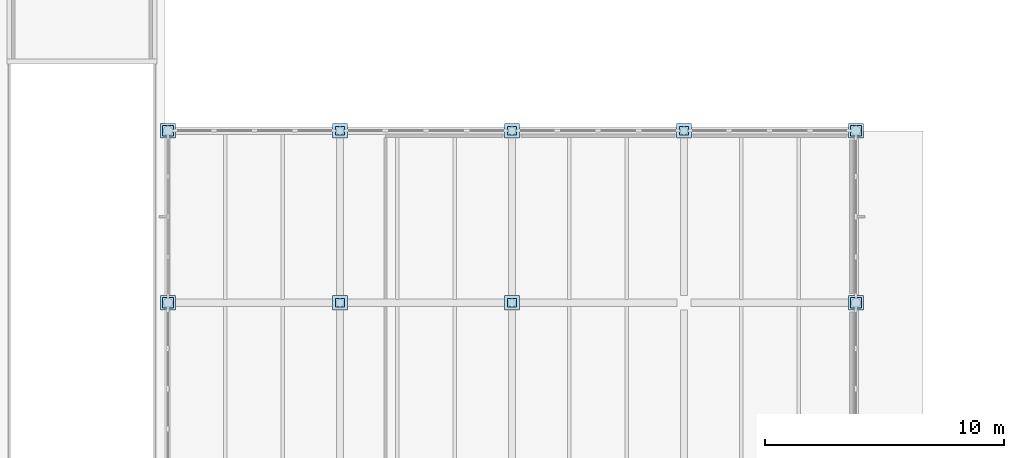
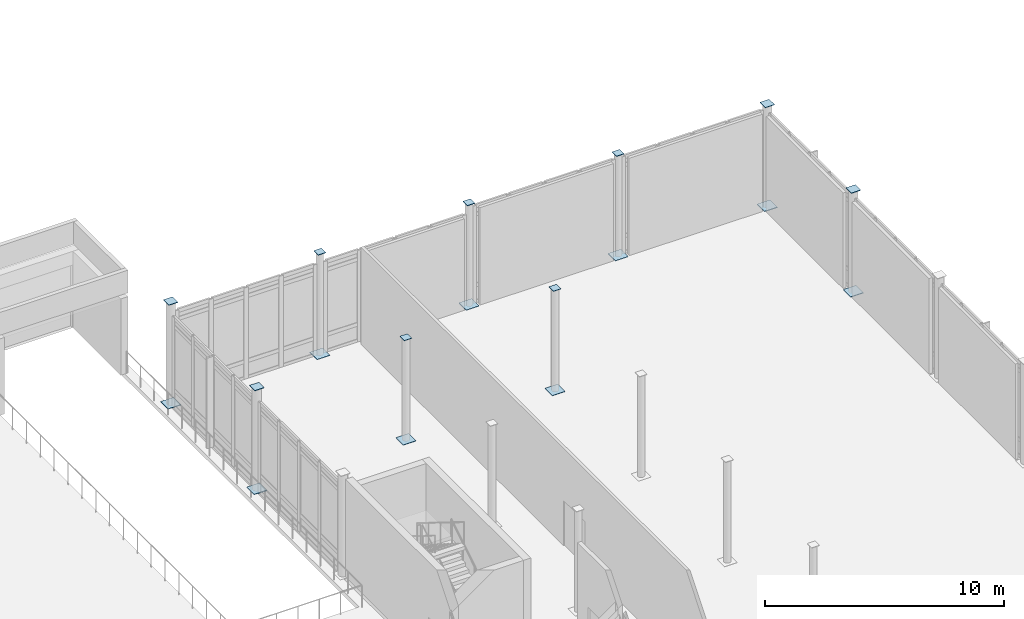
# One storey, part 57 of 89: 18 plates.
"""IFC4 building model written with IfcOpenShell, lengths in metres."""

import ifcopenshell
import ifcopenshell.guid

model = None  # the IFC model being written
_history = None  # IfcOwnerHistory: only IFC2X3 demands one
_inside = {}  # id of a spatial element -> (the spatial element, [elements in it])
_under = {}  # id of a project, library or spatial element -> (it, [spatial elements below it])
_declared = {}  # id of a project -> (the project, [libraries it declares])
_typed = {}  # id of a type object -> (the type object, [elements of that type])
_made_of = {}  # id of a material, layer set ... -> (it, [elements and type objects made of it])


def new_model(schema):
    """Start an empty IFC model of exactly this schema.

    Asked for "IFC4X3", IfcOpenShell would pick the latest addendum, in which some entities
    have other attributes; the version numbers below select the first issue.
    IFC2X3 requires an IfcOwnerHistory on every rooted entity: one is made here for all.
    """
    global model, _history
    if schema == "IFC4X3":
        model = ifcopenshell.file(schema_version=(4, 3, 0, 0))
    else:
        model = ifcopenshell.file(schema=schema)
    _inside.clear()
    _under.clear()
    _declared.clear()
    _typed.clear()
    _made_of.clear()
    _history = None
    if model.schema == "IFC2X3":
        org = make("IfcOrganization", Name="unknown")
        user = make(
            "IfcPersonAndOrganization",
            ThePerson=make("IfcPerson", FamilyName="unknown"),
            TheOrganization=org,
        )
        app = make(
            "IfcApplication",
            ApplicationDeveloper=org,
            Version="unknown",
            ApplicationFullName="unknown",
            ApplicationIdentifier="unknown",
        )
        _history = make(
            "IfcOwnerHistory",
            OwningUser=user,
            OwningApplication=app,
            ChangeAction="ADDED",
            CreationDate=0,
        )
    return model


def make(cls, **values):
    """One entity of the class cls with the attributes given. An attribute that is None is left unset."""
    return model.create_entity(
        cls, **{name: value for name, value in values.items() if value is not None}
    )


def rooted(cls, **values):
    """An entity with a GlobalId (a new one), such as an element, a storey or a relation."""
    return make(cls, GlobalId=ifcopenshell.guid.new(), OwnerHistory=_history, **values)


def si_unit(unit_type, name, prefix=None):
    """IfcSIUnit, for example si_unit("LENGTHUNIT", "METRE", prefix="MILLI")."""
    return make("IfcSIUnit", UnitType=unit_type, Prefix=prefix, Name=name)


def assignment(units):
    """IfcUnitAssignment: the units of a project."""
    return None if units is None else make("IfcUnitAssignment", Units=units)


def point(xyz):
    """IfcCartesianPoint."""
    return None if xyz is None else make("IfcCartesianPoint", Coordinates=xyz)


def direction(xyz):
    """IfcDirection."""
    return None if xyz is None else make("IfcDirection", DirectionRatios=xyz)


def frame(location, z_axis=None, x_axis=None):
    """IfcAxis2Placement3D, a coordinate frame: its origin and axes. An axis left out is left unset."""
    return make(
        "IfcAxis2Placement3D",
        Location=point(location),
        Axis=direction(z_axis),
        RefDirection=direction(x_axis),
    )


def frame_2d(location, x_axis=None):
    """IfcAxis2Placement2D, a coordinate frame in the plane: its origin and x axis."""
    return make(
        "IfcAxis2Placement2D", Location=point(location), RefDirection=direction(x_axis)
    )


def origin():
    """The frame at (0, 0, 0) with its axes left unset."""
    return frame((0.0, 0.0, 0.0))


def origin_2d():
    """The frame at (0, 0) in the plane with its x axis left unset."""
    return frame_2d((0.0, 0.0))


def place(relative_to, where):
    """IfcLocalPlacement: puts the frame where relative to a parent placement (None: the world)."""
    return make(
        "IfcLocalPlacement", PlacementRelTo=relative_to, RelativePlacement=where
    )


def context(
    kind, dimensions, precision=None, world=None, true_north=None, identifier=None
):
    """IfcGeometricRepresentationContext, for example the 3D "Model" context."""
    return make(
        "IfcGeometricRepresentationContext",
        ContextIdentifier=identifier,
        ContextType=kind,
        CoordinateSpaceDimension=dimensions,
        Precision=precision,
        WorldCoordinateSystem=world,
        TrueNorth=true_north,
    )


def subcontext(parent, identifier, kind, view, scale=None):
    """IfcGeometricRepresentationSubContext, for example "Body" below "Model"."""
    return make(
        "IfcGeometricRepresentationSubContext",
        ContextIdentifier=identifier,
        ContextType=kind,
        ParentContext=parent,
        TargetScale=scale,
        TargetView=view,
    )


def project(units=None, contexts=None):
    """IfcProject with its units and contexts."""
    return rooted(
        "IfcProject",
        Name="project",
        RepresentationContexts=contexts,
        UnitsInContext=assignment(units),
    )


def spatial(cls, under=None, at=None, **own):
    """A site, building, storey or space (cls), placed at a placement, below another one or the project."""
    s = rooted(cls, ObjectPlacement=at, **own)
    if under is not None:
        _under.setdefault(under.id(), (under, []))[1].append(s)
    return s


def profile(cls, at=None, kind="AREA", **sizes):
    """A parametric profile (cls). Its sizes go by their IFC names, for example OverallWidth=200.0."""
    return make(cls, ProfileType=kind, Position=at, **sizes)


def rectangle(**sizes):
    """IfcRectangleProfileDef."""
    return profile("IfcRectangleProfileDef", **sizes)


def extrude(swept, where, along, depth):
    """IfcExtrudedAreaSolid: the profile swept, set in the frame where, extruded along a direction by depth."""
    return make(
        "IfcExtrudedAreaSolid",
        SweptArea=swept,
        Position=where,
        ExtrudedDirection=direction(along),
        Depth=depth,
    )


def shape(context_of_items, identifier, shape_type, items):
    """IfcShapeRepresentation: the items that make up one representation, for example the "Body"."""
    return make(
        "IfcShapeRepresentation",
        ContextOfItems=context_of_items,
        RepresentationIdentifier=identifier,
        RepresentationType=shape_type,
        Items=items,
    )


def material(Name=None, Category=None):
    """IfcMaterial."""
    return make("IfcMaterial", Name=Name, Category=Category)


def layer(
    of_material, thickness, ventilated=None, Name=None, Category=None, Priority=None
):
    """IfcMaterialLayer: one layer of a wall or slab, of a material (None: an air gap)."""
    return make(
        "IfcMaterialLayer",
        Material=of_material,
        LayerThickness=thickness,
        IsVentilated=ventilated,
        Name=Name,
        Category=Category,
        Priority=Priority,
    )


def layer_set(layers, Name=None):
    """IfcMaterialLayerSet."""
    return make("IfcMaterialLayerSet", MaterialLayers=layers, LayerSetName=Name)


def made_of(thing, what):
    """Note that an element or type object is made of a material, layer set ...; save() writes the relation."""
    if what is not None:
        _made_of.setdefault(what.id(), (what, []))[1].append(thing)
    return thing


def type_object(cls, material=None, **own):
    """A type object (cls), such as IfcWallType, which elements share."""
    return made_of(rooted(cls, **own), material)


def element(
    cls,
    number,
    at=None,
    inside=None,
    cuts=None,
    type_object=None,
    material=None,
    context=None,
    identifier="Body",
    shape_type=None,
    held_by="IfcProductDefinitionShape",
    body=None,
    shapes=None,
    **own,
):
    """One element of the class cls, such as IfcWall. Its Tag is "e" and its number.

    at: its placement. inside: the storey or other place that contains it. cuts: it is an
    opening in that element (IfcRelVoidsElement). A single representation is given by context,
    identifier, shape_type and body (its items); several are given by shapes. held_by: the class
    of the entity that holds the representations. save() writes the other relations.
    """
    e = rooted(cls, Tag="e%d" % number, ObjectPlacement=at, **own)
    if body is not None:
        shapes = [shape(context, identifier, shape_type, body)]
    if shapes is not None:
        e.Representation = make(held_by, Representations=shapes)
    if inside is not None:
        _inside.setdefault(inside.id(), (inside, []))[1].append(e)
    if cuts is not None:
        rooted(
            "IfcRelVoidsElement", RelatingBuildingElement=cuts, RelatedOpeningElement=e
        )
    if type_object is not None:
        _typed.setdefault(type_object.id(), (type_object, []))[1].append(e)
    return made_of(e, material)


def aggregate(whole, parts):
    """IfcRelAggregates: a whole, such as a stair, and the parts it consists of."""
    return rooted("IfcRelAggregates", RelatingObject=whole, RelatedObjects=parts)


def save(model, path):
    """Write the relations noted so far, then the file.

    IfcRelAggregates (storeys below a building ...), IfcRelContainedInSpatialStructure (elements
    in a storey), IfcRelDefinesByType, IfcRelAssociatesMaterial and IfcRelDeclares: one each for
    every whole, place, type object, material and project.
    """
    for whole, parts in _under.values():
        aggregate(whole, parts)
    for where, things in _inside.values():
        rooted(
            "IfcRelContainedInSpatialStructure",
            RelatedElements=things,
            RelatingStructure=where,
        )
    for kind, things in _typed.values():
        rooted("IfcRelDefinesByType", RelatedObjects=things, RelatingType=kind)
    for what, things in _made_of.values():
        rooted("IfcRelAssociatesMaterial", RelatedObjects=things, RelatingMaterial=what)
    for by, libraries in _declared.values():
        rooted("IfcRelDeclares", RelatingContext=by, RelatedDefinitions=libraries)
    model.write(path)


model = new_model("IFC4")

# Units and contexts
model_context = context("Model", 3, precision=1e-05, world=origin(), true_north=direction((0.0, 1.0)))
body_context = subcontext(model_context, "Body", "Model", "MODEL_VIEW")
ifc_project = project(units=[si_unit("LENGTHUNIT", "METRE"), si_unit("AREAUNIT", "SQUARE_METRE"), si_unit("VOLUMEUNIT", "CUBIC_METRE"), si_unit("PLANEANGLEUNIT", "RADIAN"), si_unit("MASSUNIT", "GRAM", prefix="KILO")], contexts=[model_context])

# Site, building, storey
site_placement = place(None, origin())
site = spatial("IfcSite", under=ifc_project, at=site_placement, CompositionType="ELEMENT")
building_placement = place(site_placement, origin())
building = spatial("IfcBuilding", under=site, at=building_placement, Name="Zarrinpeak Specialist Clinic", CompositionType="ELEMENT")
storey_placement = place(building_placement, origin())
storey = spatial("IfcBuildingStorey", under=building, at=storey_placement, Name="L00", CompositionType="ELEMENT", Elevation=0.0)

# Plates
ifc_material = material(Name="Steel S355", Category="steel")
ifc_layer_1 = layer(ifc_material, 0.035888671875)
ifc_layer_set_1 = layer_set([ifc_layer_1], Name="Steel S355")
plate_type_1 = type_object("IfcPlateType", Name="PL-BP500", PredefinedType="SHEET", material=ifc_layer_set_1)
for number, where, z_axis, x_axis, name in (
    (1, (93.60009765625, 64.800048828125, -0.03173828125), (0.0, 0.0, 1.0), (1.0, 0.0, 0.0), "L00 Hollow Column Baseplate CCAP-B-014"),
    (2, (93.60009765625, 72.0, -0.03173828125), (0.0, 0.0, 1.0), (1.0, 0.0, 0.0), "L00 Hollow Column Baseplate CCAP-B-016"),
    (3, (100.800048828125, 64.800048828125, -0.03173828125), (0.0, 0.0, 1.0), (1.0, 0.0, 0.0), "L00 Hollow Column Baseplate CCAP-B-028"),
    (4, (100.800048828125, 72.0, -0.03173828125), (0.0, 0.0, 1.0), (1.0, 0.0, 0.0), "L00 Hollow Column Baseplate CCAP-B-030"),
    (5, (108.0, 64.800048828125, -0.03173828125), (0.0, 0.0, 1.0), (1.0, 0.0, 0.0), "L00 Hollow Column Baseplate CCAP-B-042"),
    (6, (108.0, 72.0, -0.03173828125), (0.0, 0.0, 1.0), (1.0, 0.0, 0.0), "L00 Hollow Column Baseplate CCAP-B-044"),
    (7, (115.199951171875, 72.0, -0.03173828125), (0.0, 0.0, 1.0), (1.0, 0.0, 0.0), "L00 Hollow Column Baseplate CCAP-B-048"),
    (8, (122.39990234375, 64.800048828125, -0.03173828125), (0.0, 0.0, 1.0), (1.0, 0.0, 0.0), "L00 Hollow Column Baseplate CCAP-B-060"),
    (9, (122.39990234375, 72.0, -0.03173828125), (0.0, 0.0, 1.0), (1.0, 0.0, 0.0), "L00 Hollow Column Baseplate CCAP-B-062"),
):
    element("IfcPlate", number, at=place(storey_placement, frame(where, z_axis=z_axis, x_axis=x_axis)), inside=storey, type_object=plate_type_1, Name=name, PredefinedType="SHEET", context=body_context, shape_type="SweptSolid", body=[
        extrude(rectangle(XDim=0.6201171875, YDim=0.6201171875, at=origin_2d()), origin(), (0.0, 0.0, 1.0), 0.035888671875),
    ])
ifc_layer_2 = layer(ifc_material, 0.02001953125)
ifc_layer_set_2 = layer_set([ifc_layer_2], Name="Steel S355")
plate_type_2 = type_object("IfcPlateType", Name="PL-CAP324", PredefinedType="SHEET", material=ifc_layer_set_2)
for number, where, z_axis, x_axis, name in (
    (10, (100.800048828125, 64.800048828125, 5.196044921875), (0.0, 0.0, 1.0), (1.0, 0.0, 0.0), "L00 Hollow Column Top Cap Plate CCAP-T-027"),
    (11, (100.800048828125, 72.0, 5.196044921875), (0.0, 0.0, 1.0), (1.0, 0.0, 0.0), "L00 Hollow Column Top Cap Plate CCAP-T-029"),
    (12, (108.0, 64.800048828125, 5.196044921875), (0.0, 0.0, 1.0), (1.0, 0.0, 0.0), "L00 Hollow Column Top Cap Plate CCAP-T-041"),
    (13, (108.0, 72.0, 5.196044921875), (0.0, 0.0, 1.0), (1.0, 0.0, 0.0), "L00 Hollow Column Top Cap Plate CCAP-T-043"),
    (14, (115.199951171875, 72.0, 5.196044921875), (0.0, 0.0, 1.0), (1.0, 0.0, 0.0), "L00 Hollow Column Top Cap Plate CCAP-T-047"),
):
    element("IfcPlate", number, at=place(storey_placement, frame(where, z_axis=z_axis, x_axis=x_axis)), inside=storey, type_object=plate_type_2, Name=name, PredefinedType="SHEET", context=body_context, shape_type="SweptSolid", body=[
        extrude(rectangle(XDim=0.3701171875, YDim=0.3701171875, at=origin_2d()), origin(), (0.0, 0.0, 1.0), 0.02001953125),
    ])
ifc_layer_3 = layer(ifc_material, 0.02197265625)
ifc_layer_set_3 = layer_set([ifc_layer_3], Name="Steel S355")
plate_type_3 = type_object("IfcPlateType", Name="PL-CAP406", PredefinedType="SHEET", material=ifc_layer_set_3)
for number, where, z_axis, x_axis, name in (
    (15, (93.60009765625, 64.800048828125, 5.196044921875), (0.0, 0.0, 1.0), (1.0, 0.0, 0.0), "L00 Hollow Column Top Cap Plate CCAP-T-013"),
    (16, (93.60009765625, 72.0, 5.196044921875), (0.0, 0.0, 1.0), (1.0, 0.0, 0.0), "L00 Hollow Column Top Cap Plate CCAP-T-015"),
    (17, (122.39990234375, 64.800048828125, 5.196044921875), (0.0, 0.0, 1.0), (1.0, 0.0, 0.0), "L00 Hollow Column Top Cap Plate CCAP-T-059"),
    (18, (122.39990234375, 72.0, 5.196044921875), (0.0, 0.0, 1.0), (1.0, 0.0, 0.0), "L00 Hollow Column Top Cap Plate CCAP-T-061"),
):
    element("IfcPlate", number, at=place(storey_placement, frame(where, z_axis=z_axis, x_axis=x_axis)), inside=storey, type_object=plate_type_3, Name=name, PredefinedType="SHEET", context=body_context, shape_type="SweptSolid", body=[
        extrude(rectangle(XDim=0.449951171875, YDim=0.449951171875, at=origin_2d()), origin(), (0.0, 0.0, 1.0), 0.02197265625),
    ])

save(model, "model.ifc")
